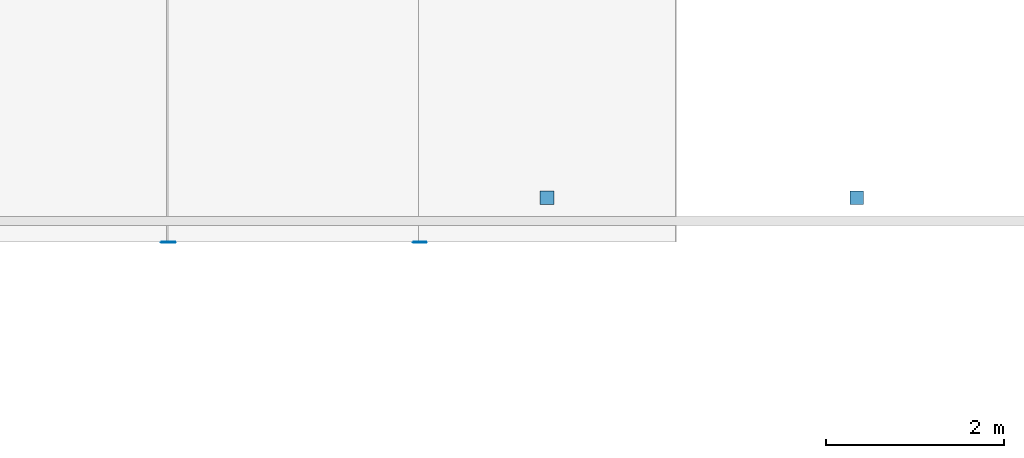
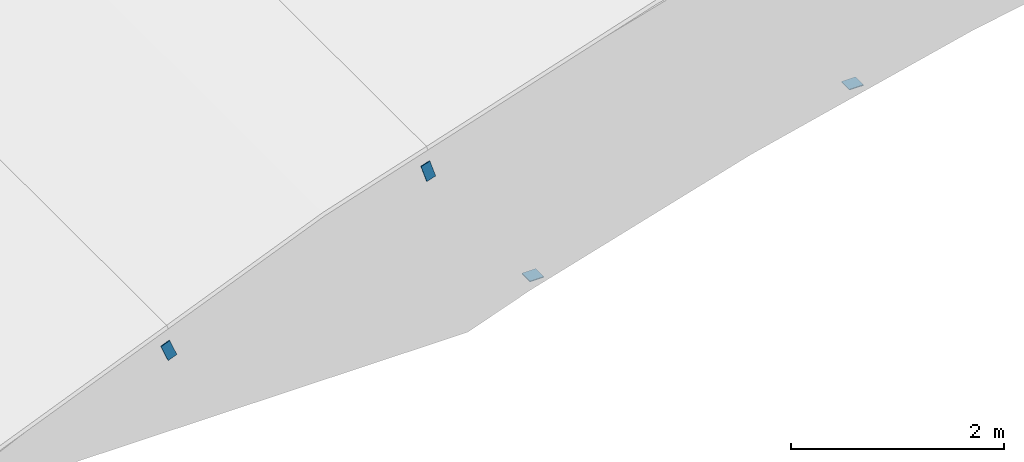
# One storey, part 5 of 17: 4 discrete accessories.
"""IFC4 building model written with IfcOpenShell, lengths in metres."""

from ifc_helpers import new_model, si_unit, direction, frame, origin, origin_2d, place, context, subcontext, project, spatial, rectangle, extrude, material, material_profile, profile_set, type_object, element, save


model = new_model("IFC4")

# Units and contexts
model_context = context("Model", 3, precision=1e-05, world=origin(), true_north=direction((0.0, 1.0)))
body_context = subcontext(model_context, "Body", "Model", "MODEL_VIEW")
ifc_project = project(units=[si_unit("LENGTHUNIT", "METRE"), si_unit("AREAUNIT", "SQUARE_METRE"), si_unit("VOLUMEUNIT", "CUBIC_METRE"), si_unit("PLANEANGLEUNIT", "RADIAN"), si_unit("MASSUNIT", "GRAM", prefix="KILO")], contexts=[model_context])

# Site, building, storey
site_placement = place(None, origin())
site = spatial("IfcSite", under=ifc_project, at=site_placement, CompositionType="ELEMENT")
building_placement = place(site_placement, origin())
building = spatial("IfcBuilding", under=site, at=building_placement, Name="Verrick Yard Athletic Hall", CompositionType="ELEMENT")
storey_placement = place(building_placement, frame((0.0, 0.0, 18.199951171875)))
storey = spatial("IfcBuildingStorey", under=building, at=storey_placement, Name="Roof", CompositionType="ELEMENT", Elevation=18.199951171875)

# Discrete accessories
ifc_material = material(Name="Structural steel 350W (CSA G40.21)", Category="steel")
ifc_material_profile_1 = material_profile(ifc_material, rectangle(XDim=0.1015625, YDim=0.203125, at=origin_2d()), Name="STR End cap plate 203x102x9.5")
ifc_profile_set_1 = profile_set([ifc_material_profile_1], Name="Structural steel 350W (CSA G40.21)")
discrete_accessory_type_1 = type_object("IfcDiscreteAccessoryType", Name="STR End cap plate 203x102x9.5", PredefinedType="BRACKET", material=ifc_profile_set_1)
for number, where, z_axis, x_axis, name in (
    (1, (127.162109375, 71.989990234375, 1.082275390625), (0.0, 1.0, 0.0), (-0.924122791552, 0.0, -0.382095624331), "End cap HB-PU-A-1-3 A"),
    (2, (129.98095703125, 71.989990234375, 2.154541015625), (0.0, 1.0, 0.0), (-0.951213620533, 0.0, -0.308533058379), "End cap HB-PU-A-1-4 A"),
):
    element("IfcDiscreteAccessory", number, at=place(storey_placement, frame(where, z_axis=z_axis, x_axis=x_axis)), inside=storey, type_object=discrete_accessory_type_1, Name=name, PredefinedType="BRACKET", context=body_context, shape_type="SweptSolid", body=[
        extrude(rectangle(XDim=0.1015625, YDim=0.203125, at=origin_2d()), origin(), (0.0, 0.0, 1.0), 0.010009765625),
    ])
ifc_material_profile_2 = material_profile(ifc_material, rectangle(XDim=0.15234375, YDim=0.15234375, at=origin_2d()), Name="STR End cap plate 152x152x9.5")
ifc_profile_set_2 = profile_set([ifc_material_profile_2], Name="Structural steel 350W (CSA G40.21)")
discrete_accessory_type_2 = type_object("IfcDiscreteAccessoryType", Name="STR End cap plate 152x152x9.5", PredefinedType="BRACKET", material=ifc_profile_set_2)
for number, where, z_axis, x_axis, name in (
    (3, (131.407470703125, 72.49462890625, 0.149658203125), (0.0, 0.0, 1.0), (1.0, 0.0, 0.0), "End cap HB-GP-AS-3 B"),
    (4, (134.878662109375, 72.49462890625, 1.136962890625), (0.0, 0.0, 1.0), (1.0, 0.0, 0.0), "End cap HB-GP-AS-4 B"),
):
    element("IfcDiscreteAccessory", number, at=place(storey_placement, frame(where, z_axis=z_axis, x_axis=x_axis)), inside=storey, type_object=discrete_accessory_type_2, Name=name, PredefinedType="BRACKET", context=body_context, shape_type="SweptSolid", body=[
        extrude(rectangle(XDim=0.15234375, YDim=0.15234375, at=origin_2d()), origin(), (0.0, 0.0, 1.0), 0.010009765625),
    ])

save(model, "model.ifc")
